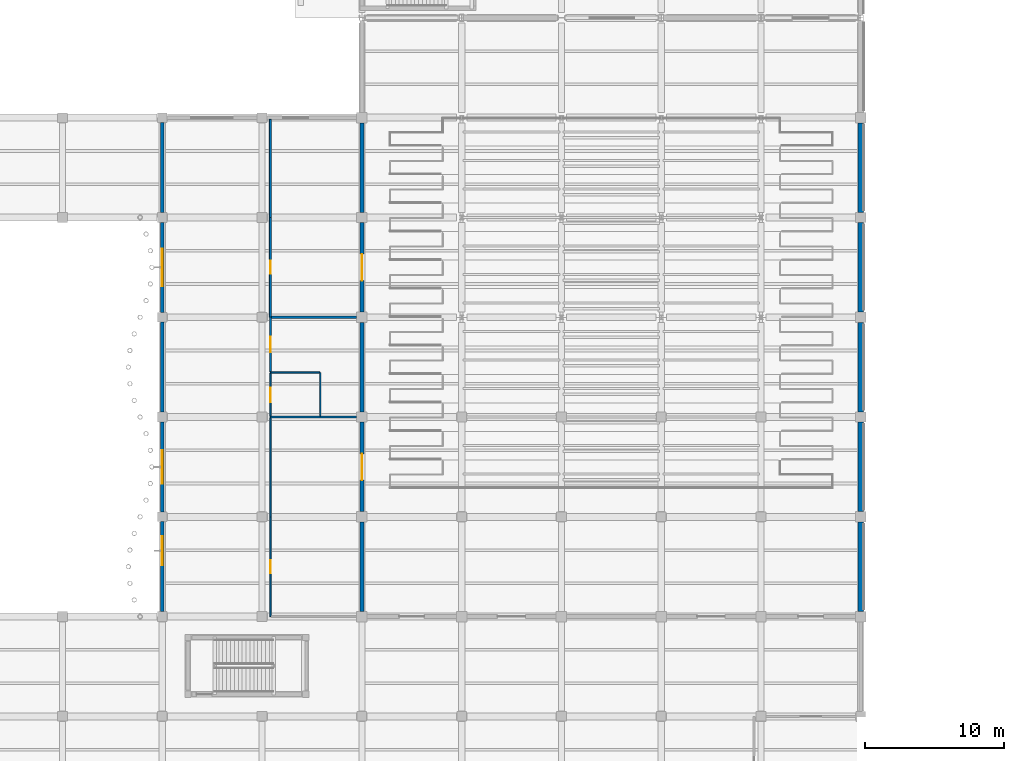
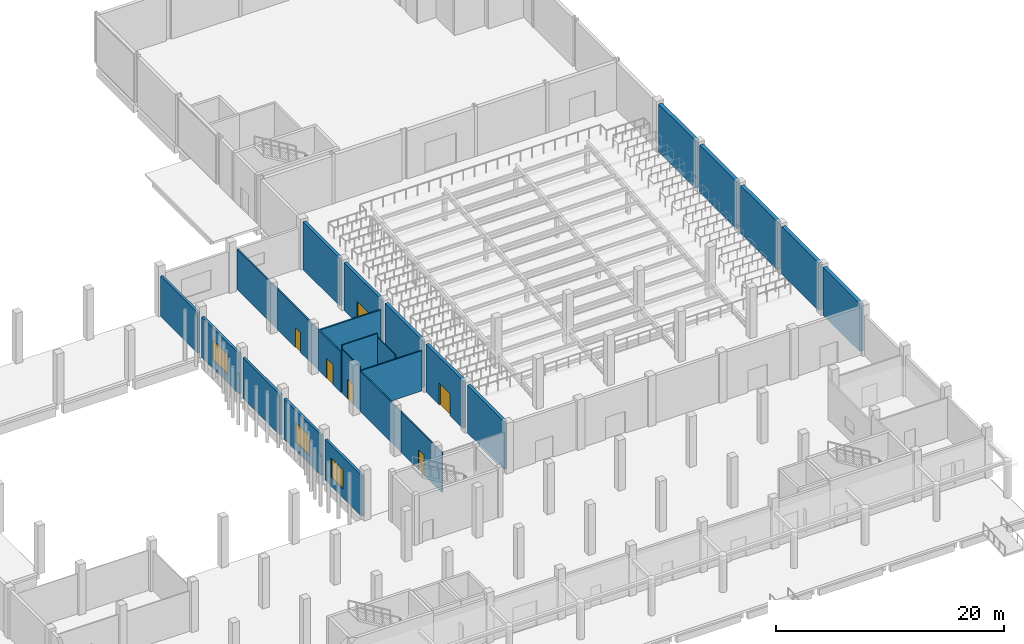
# One storey, part 26 of 46: 25 walls, 6 doors, 3 windows, 9 openings.
"""IFC4 building model written with IfcOpenShell, lengths in metres."""

import ifcopenshell
import ifcopenshell.guid

model = None  # the IFC model being written
_history = None  # IfcOwnerHistory: only IFC2X3 demands one
_inside = {}  # id of a spatial element -> (the spatial element, [elements in it])
_under = {}  # id of a project, library or spatial element -> (it, [spatial elements below it])
_declared = {}  # id of a project -> (the project, [libraries it declares])
_typed = {}  # id of a type object -> (the type object, [elements of that type])
_made_of = {}  # id of a material, layer set ... -> (it, [elements and type objects made of it])


def new_model(schema):
    """Start an empty IFC model of exactly this schema.

    Asked for "IFC4X3", IfcOpenShell would pick the latest addendum, in which some entities
    have other attributes; the version numbers below select the first issue.
    IFC2X3 requires an IfcOwnerHistory on every rooted entity: one is made here for all.
    """
    global model, _history
    if schema == "IFC4X3":
        model = ifcopenshell.file(schema_version=(4, 3, 0, 0))
    else:
        model = ifcopenshell.file(schema=schema)
    _inside.clear()
    _under.clear()
    _declared.clear()
    _typed.clear()
    _made_of.clear()
    _history = None
    if model.schema == "IFC2X3":
        org = make("IfcOrganization", Name="unknown")
        user = make(
            "IfcPersonAndOrganization",
            ThePerson=make("IfcPerson", FamilyName="unknown"),
            TheOrganization=org,
        )
        app = make(
            "IfcApplication",
            ApplicationDeveloper=org,
            Version="unknown",
            ApplicationFullName="unknown",
            ApplicationIdentifier="unknown",
        )
        _history = make(
            "IfcOwnerHistory",
            OwningUser=user,
            OwningApplication=app,
            ChangeAction="ADDED",
            CreationDate=0,
        )
    return model


def make(cls, **values):
    """One entity of the class cls with the attributes given. An attribute that is None is left unset."""
    return model.create_entity(
        cls, **{name: value for name, value in values.items() if value is not None}
    )


def rooted(cls, **values):
    """An entity with a GlobalId (a new one), such as an element, a storey or a relation."""
    return make(cls, GlobalId=ifcopenshell.guid.new(), OwnerHistory=_history, **values)


def si_unit(unit_type, name, prefix=None):
    """IfcSIUnit, for example si_unit("LENGTHUNIT", "METRE", prefix="MILLI")."""
    return make("IfcSIUnit", UnitType=unit_type, Prefix=prefix, Name=name)


def assignment(units):
    """IfcUnitAssignment: the units of a project."""
    return None if units is None else make("IfcUnitAssignment", Units=units)


def point(xyz):
    """IfcCartesianPoint."""
    return None if xyz is None else make("IfcCartesianPoint", Coordinates=xyz)


def direction(xyz):
    """IfcDirection."""
    return None if xyz is None else make("IfcDirection", DirectionRatios=xyz)


def frame(location, z_axis=None, x_axis=None):
    """IfcAxis2Placement3D, a coordinate frame: its origin and axes. An axis left out is left unset."""
    return make(
        "IfcAxis2Placement3D",
        Location=point(location),
        Axis=direction(z_axis),
        RefDirection=direction(x_axis),
    )


def frame_2d(location, x_axis=None):
    """IfcAxis2Placement2D, a coordinate frame in the plane: its origin and x axis."""
    return make(
        "IfcAxis2Placement2D", Location=point(location), RefDirection=direction(x_axis)
    )


def origin():
    """The frame at (0, 0, 0) with its axes left unset."""
    return frame((0.0, 0.0, 0.0))


def place(relative_to, where):
    """IfcLocalPlacement: puts the frame where relative to a parent placement (None: the world)."""
    return make(
        "IfcLocalPlacement", PlacementRelTo=relative_to, RelativePlacement=where
    )


def context(
    kind, dimensions, precision=None, world=None, true_north=None, identifier=None
):
    """IfcGeometricRepresentationContext, for example the 3D "Model" context."""
    return make(
        "IfcGeometricRepresentationContext",
        ContextIdentifier=identifier,
        ContextType=kind,
        CoordinateSpaceDimension=dimensions,
        Precision=precision,
        WorldCoordinateSystem=world,
        TrueNorth=true_north,
    )


def subcontext(parent, identifier, kind, view, scale=None):
    """IfcGeometricRepresentationSubContext, for example "Body" below "Model"."""
    return make(
        "IfcGeometricRepresentationSubContext",
        ContextIdentifier=identifier,
        ContextType=kind,
        ParentContext=parent,
        TargetScale=scale,
        TargetView=view,
    )


def project(units=None, contexts=None):
    """IfcProject with its units and contexts."""
    return rooted(
        "IfcProject",
        Name="project",
        RepresentationContexts=contexts,
        UnitsInContext=assignment(units),
    )


def spatial(cls, under=None, at=None, **own):
    """A site, building, storey or space (cls), placed at a placement, below another one or the project."""
    s = rooted(cls, ObjectPlacement=at, **own)
    if under is not None:
        _under.setdefault(under.id(), (under, []))[1].append(s)
    return s


def profile(cls, at=None, kind="AREA", **sizes):
    """A parametric profile (cls). Its sizes go by their IFC names, for example OverallWidth=200.0."""
    return make(cls, ProfileType=kind, Position=at, **sizes)


def rectangle(**sizes):
    """IfcRectangleProfileDef."""
    return profile("IfcRectangleProfileDef", **sizes)


def extrude(swept, where, along, depth):
    """IfcExtrudedAreaSolid: the profile swept, set in the frame where, extruded along a direction by depth."""
    return make(
        "IfcExtrudedAreaSolid",
        SweptArea=swept,
        Position=where,
        ExtrudedDirection=direction(along),
        Depth=depth,
    )


def shape(context_of_items, identifier, shape_type, items):
    """IfcShapeRepresentation: the items that make up one representation, for example the "Body"."""
    return make(
        "IfcShapeRepresentation",
        ContextOfItems=context_of_items,
        RepresentationIdentifier=identifier,
        RepresentationType=shape_type,
        Items=items,
    )


def material(Name=None, Category=None):
    """IfcMaterial."""
    return make("IfcMaterial", Name=Name, Category=Category)


def layer(
    of_material, thickness, ventilated=None, Name=None, Category=None, Priority=None
):
    """IfcMaterialLayer: one layer of a wall or slab, of a material (None: an air gap)."""
    return make(
        "IfcMaterialLayer",
        Material=of_material,
        LayerThickness=thickness,
        IsVentilated=ventilated,
        Name=Name,
        Category=Category,
        Priority=Priority,
    )


def layer_set(layers, Name=None):
    """IfcMaterialLayerSet."""
    return make("IfcMaterialLayerSet", MaterialLayers=layers, LayerSetName=Name)


def made_of(thing, what):
    """Note that an element or type object is made of a material, layer set ...; save() writes the relation."""
    if what is not None:
        _made_of.setdefault(what.id(), (what, []))[1].append(thing)
    return thing


def type_object(cls, material=None, **own):
    """A type object (cls), such as IfcWallType, which elements share."""
    return made_of(rooted(cls, **own), material)


def element(
    cls,
    number,
    at=None,
    inside=None,
    cuts=None,
    type_object=None,
    material=None,
    context=None,
    identifier="Body",
    shape_type=None,
    held_by="IfcProductDefinitionShape",
    body=None,
    shapes=None,
    **own,
):
    """One element of the class cls, such as IfcWall. Its Tag is "e" and its number.

    at: its placement. inside: the storey or other place that contains it. cuts: it is an
    opening in that element (IfcRelVoidsElement). A single representation is given by context,
    identifier, shape_type and body (its items); several are given by shapes. held_by: the class
    of the entity that holds the representations. save() writes the other relations.
    """
    e = rooted(cls, Tag="e%d" % number, ObjectPlacement=at, **own)
    if body is not None:
        shapes = [shape(context, identifier, shape_type, body)]
    if shapes is not None:
        e.Representation = make(held_by, Representations=shapes)
    if inside is not None:
        _inside.setdefault(inside.id(), (inside, []))[1].append(e)
    if cuts is not None:
        rooted(
            "IfcRelVoidsElement", RelatingBuildingElement=cuts, RelatedOpeningElement=e
        )
    if type_object is not None:
        _typed.setdefault(type_object.id(), (type_object, []))[1].append(e)
    return made_of(e, material)


def fill(opening, filler):
    """IfcRelFillsElement: the door or window that sits in an opening."""
    return rooted(
        "IfcRelFillsElement",
        RelatingOpeningElement=opening,
        RelatedBuildingElement=filler,
    )


def aggregate(whole, parts):
    """IfcRelAggregates: a whole, such as a stair, and the parts it consists of."""
    return rooted("IfcRelAggregates", RelatingObject=whole, RelatedObjects=parts)


def save(model, path):
    """Write the relations noted so far, then the file.

    IfcRelAggregates (storeys below a building ...), IfcRelContainedInSpatialStructure (elements
    in a storey), IfcRelDefinesByType, IfcRelAssociatesMaterial and IfcRelDeclares: one each for
    every whole, place, type object, material and project.
    """
    for whole, parts in _under.values():
        aggregate(whole, parts)
    for where, things in _inside.values():
        rooted(
            "IfcRelContainedInSpatialStructure",
            RelatedElements=things,
            RelatingStructure=where,
        )
    for kind, things in _typed.values():
        rooted("IfcRelDefinesByType", RelatedObjects=things, RelatingType=kind)
    for what, things in _made_of.values():
        rooted("IfcRelAssociatesMaterial", RelatedObjects=things, RelatingMaterial=what)
    for by, libraries in _declared.values():
        rooted("IfcRelDeclares", RelatingContext=by, RelatedDefinitions=libraries)
    model.write(path)


model = new_model("IFC4")

# Units and contexts
model_context = context("Model", 3, precision=1e-05, world=origin(), true_north=direction((0.0, 1.0)))
body_context = subcontext(model_context, "Body", "Model", "MODEL_VIEW")
ifc_project = project(units=[si_unit("LENGTHUNIT", "METRE"), si_unit("AREAUNIT", "SQUARE_METRE"), si_unit("VOLUMEUNIT", "CUBIC_METRE"), si_unit("PLANEANGLEUNIT", "RADIAN"), si_unit("MASSUNIT", "GRAM", prefix="KILO"), si_unit("THERMODYNAMICTEMPERATUREUNIT", "KELVIN"), si_unit("POWERUNIT", "WATT")], contexts=[model_context])

# Site, building, storey
site_placement = place(None, origin())
site = spatial("IfcSite", under=ifc_project, at=site_placement, CompositionType="ELEMENT")
building_placement = place(site_placement, origin())
building = spatial("IfcBuilding", under=site, at=building_placement, Name="Kaldorven Railside Theatre", CompositionType="ELEMENT")
storey_placement = place(building_placement, origin())
storey = spatial("IfcBuildingStorey", under=building, at=storey_placement, Name="L00", CompositionType="ELEMENT", Elevation=0.0)

# Walls
ifc_material_1 = material(Name="Architectural concrete C40/50", Category="concrete")
ifc_layer_1 = layer(ifc_material_1, 0.3798828125, Name="Architectural concrete C40/50")
ifc_layer_set_1 = layer_set([ifc_layer_1], Name="Architectural concrete C40/50")
wall_type_1 = type_object("IfcWallType", Name="WL-EW02", PredefinedType="SHEAR", material=ifc_layer_set_1)
wall_1_placement = place(storey_placement, frame((123.199951171875, 76.425048828125, 0.0), z_axis=(0.0, 0.0, 1.0), x_axis=(0.0, -1.0, 0.0)))
element("IfcWall", 1, at=wall_1_placement, inside=storey, type_object=wall_type_1, Name="V1 L00 Exterior Wall EW-0240", PredefinedType="SHEAR", context=body_context, shape_type="SweptSolid", body=[
    extrude(rectangle(XDim=6.449951171875, YDim=0.3798828125, at=frame_2d((3.22509765625, 0.0))), origin(), (0.0, 0.0, 1.0), 5.10009765625),
])
wall_2_placement = place(storey_placement, frame((123.199951171875, 69.22509765625, 0.0), z_axis=(0.0, 0.0, 1.0), x_axis=(0.0, -1.0, 0.0)))
element("IfcWall", 2, at=wall_2_placement, inside=storey, type_object=wall_type_1, Name="V1 L00 Exterior Wall EW-0241", PredefinedType="SHEAR", context=body_context, shape_type="SweptSolid", body=[
    extrude(rectangle(XDim=6.4501953125, YDim=0.3798828125, at=frame_2d((3.22509765625, 0.0))), origin(), (0.0, 0.0, 1.0), 5.10009765625),
])
for number, where, z_axis, x_axis, name in (
    (3, (123.199951171875, 62.02490234375, 0.0), (0.0, 0.0, 1.0), (0.0, -1.0, 0.0), "V1 L00 Exterior Wall EW-0242"),
    (4, (123.199951171875, 54.824951171875, 0.0), (0.0, 0.0, 1.0), (0.0, -1.0, 0.0), "V1 L00 Exterior Wall EW-0243"),
    (5, (123.199951171875, 47.625, 0.0), (0.0, 0.0, 1.0), (0.0, -1.0, 0.0), "V1 L00 Exterior Wall EW-0244"),
):
    element("IfcWall", number, at=place(storey_placement, frame(where, z_axis=z_axis, x_axis=x_axis)), inside=storey, type_object=wall_type_1, Name=name, PredefinedType="SHEAR", context=body_context, shape_type="SweptSolid", body=[
        extrude(rectangle(XDim=6.449951171875, YDim=0.3798828125, at=frame_2d((3.22509765625, 0.0))), origin(), (0.0, 0.0, 1.0), 5.10009765625),
    ])

# Wall, opening, window
ifc_material_2 = material(Name="Precast concrete C40/50", Category="concrete")
ifc_layer_2 = layer(ifc_material_2, 0.25, Name="Precast concrete C40/50")
ifc_layer_set_2 = layer_set([ifc_layer_2], Name="Precast concrete C40/50")
wall_type_2 = type_object("IfcWallType", Name="WL-EW06", PredefinedType="SOLIDWALL", material=ifc_layer_set_2)
wall_3_placement = place(storey_placement, frame((72.800048828125, 41.14990234375, 0.0), z_axis=(0.0, 0.0, 1.0), x_axis=(0.0, 1.0, 0.0)))
wall_3 = element("IfcWall", 6, at=wall_3_placement, inside=storey, type_object=wall_type_2, Name="V5W L00 Exterior Wall EW-0208", PredefinedType="SOLIDWALL", context=body_context, shape_type="SweptSolid", body=[
    extrude(rectangle(XDim=6.5, YDim=0.25, at=frame_2d((3.25, 0.0))), origin(), (0.0, 0.0, 1.0), 4.31494140625),
])
opening_1_placement = place(wall_3_placement, frame((3.35009765625, 0.0, 0.89990234375)))
opening_1 = element("IfcOpeningElement", 7, at=opening_1_placement, cuts=wall_3, Name="Opening WN-035", PredefinedType="OPENING", context=body_context, shape_type="SweptSolid", body=[
    extrude(rectangle(XDim=2.10009765625, YDim=2.10009765625, at=frame_2d((1.050048828125, 1.050048828125))), frame((0.0, 0.135009765625, 0.0), z_axis=(0.0, -1.0, 0.0), x_axis=(1.0, 0.0, 0.0)), (0.0, 0.0, 1.0), 0.27001953125),
])
ifc_material_3 = material(Name="Low-E laminated solar-control glass", Category="glass")
window_type_1 = type_object("IfcWindowType", Name="WN-EW10", PartitioningType="SINGLE_PANEL", PredefinedType="WINDOW", material=ifc_material_3)
window_1_placement = place(opening_1_placement, origin())
window_1 = element("IfcWindow", 8, at=window_1_placement, inside=storey, type_object=window_type_1, Name="Shaded Acoustic Exterior Window WN-035", OverallHeight=2.10009765625, OverallWidth=2.10009765625, PartitioningType="SINGLE_PANEL", PredefinedType="WINDOW", context=body_context, shape_type="SweptSolid", body=[
    extrude(rectangle(XDim=2.10009765625, YDim=2.10009765625, at=frame_2d((1.050048828125, 1.050048828125))), frame((0.0, 0.030029296875, 0.0), z_axis=(0.0, -1.0, 0.0), x_axis=(1.0, 0.0, 0.0)), (0.0, 0.0, 1.0), 0.06005859375),
])
fill(opening_1, window_1)

wall_4_placement = place(storey_placement, frame((72.800048828125, 48.35009765625, 0.0), z_axis=(0.0, 0.0, 1.0), x_axis=(0.0, 1.0, 0.0)))
wall_4 = element("IfcWall", 9, at=wall_4_placement, inside=storey, type_object=wall_type_2, Name="V5W L00 Exterior Wall EW-0209", PredefinedType="SOLIDWALL", context=body_context, shape_type="SweptSolid", body=[
    extrude(rectangle(XDim=6.5, YDim=0.25, at=frame_2d((3.25, 0.0))), origin(), (0.0, 0.0, 1.0), 4.31494140625),
])
opening_2_placement = place(wall_4_placement, frame((2.050048828125, 0.0, 0.89990234375)))
opening_2 = element("IfcOpeningElement", 10, at=opening_2_placement, cuts=wall_4, Name="Opening WN-036", PredefinedType="OPENING", context=body_context, shape_type="SweptSolid", body=[
    extrude(rectangle(XDim=2.39990234375, YDim=2.10009765625, at=frame_2d((1.199951171875, 1.050048828125))), frame((0.0, 0.135009765625, 0.0), z_axis=(0.0, -1.0, 0.0), x_axis=(1.0, 0.0, 0.0)), (0.0, 0.0, 1.0), 0.27001953125),
])
window_type_2 = type_object("IfcWindowType", Name="WN-EW11", PartitioningType="SINGLE_PANEL", PredefinedType="WINDOW", material=ifc_material_3)
window_2_placement = place(opening_2_placement, origin())
window_2 = element("IfcWindow", 11, at=window_2_placement, inside=storey, type_object=window_type_2, Name="Shaded Acoustic Exterior Window WN-036", OverallHeight=2.10009765625, OverallWidth=2.39990234375, PartitioningType="SINGLE_PANEL", PredefinedType="WINDOW", context=body_context, shape_type="SweptSolid", body=[
    extrude(rectangle(XDim=2.39990234375, YDim=2.10009765625, at=frame_2d((1.199951171875, 1.050048828125))), frame((0.0, 0.030029296875, 0.0), z_axis=(0.0, -1.0, 0.0), x_axis=(1.0, 0.0, 0.0)), (0.0, 0.0, 1.0), 0.06005859375),
])
fill(opening_2, window_2)

# Wall
wall_5_placement = place(storey_placement, frame((72.800048828125, 55.550048828125, 0.0), z_axis=(0.0, 0.0, 1.0), x_axis=(0.0, 1.0, 0.0)))
element("IfcWall", 12, at=wall_5_placement, inside=storey, type_object=wall_type_2, Name="V5W L00 Exterior Wall EW-0210", PredefinedType="SOLIDWALL", context=body_context, shape_type="SweptSolid", body=[
    extrude(rectangle(XDim=6.5, YDim=0.25, at=frame_2d((3.25, 0.0))), origin(), (0.0, 0.0, 1.0), 4.31494140625),
])

# Wall, opening, window
wall_6_placement = place(storey_placement, frame((72.800048828125, 62.75, 0.0), z_axis=(0.0, 0.0, 1.0), x_axis=(0.0, 1.0, 0.0)))
wall_6 = element("IfcWall", 13, at=wall_6_placement, inside=storey, type_object=wall_type_2, Name="V5W L00 Exterior Wall EW-0211", PredefinedType="SOLIDWALL", context=body_context, shape_type="SweptSolid", body=[
    extrude(rectangle(XDim=6.5, YDim=0.25, at=frame_2d((3.25, 0.0))), origin(), (0.0, 0.0, 1.0), 4.31494140625),
])
opening_3_placement = place(wall_6_placement, frame((1.89990234375, 0.0, 0.89990234375)))
opening_3 = element("IfcOpeningElement", 14, at=opening_3_placement, cuts=wall_6, Name="Opening WN-037", PredefinedType="OPENING", context=body_context, shape_type="SweptSolid", body=[
    extrude(rectangle(XDim=2.699951171875, YDim=2.10009765625, at=frame_2d((1.35009765625, 1.050048828125))), frame((0.0, 0.135009765625, 0.0), z_axis=(0.0, -1.0, 0.0), x_axis=(1.0, 0.0, 0.0)), (0.0, 0.0, 1.0), 0.27001953125),
])
window_type_3 = type_object("IfcWindowType", Name="WN-EW12", PartitioningType="SINGLE_PANEL", PredefinedType="WINDOW", material=ifc_material_3)
window_3_placement = place(opening_3_placement, origin())
window_3 = element("IfcWindow", 15, at=window_3_placement, inside=storey, type_object=window_type_3, Name="Shaded Acoustic Exterior Window WN-037", OverallHeight=2.10009765625, OverallWidth=2.699951171875, PartitioningType="SINGLE_PANEL", PredefinedType="WINDOW", context=body_context, shape_type="SweptSolid", body=[
    extrude(rectangle(XDim=2.699951171875, YDim=2.10009765625, at=frame_2d((1.35009765625, 1.050048828125))), frame((0.0, 0.030029296875, 0.0), z_axis=(0.0, -1.0, 0.0), x_axis=(1.0, 0.0, 0.0)), (0.0, 0.0, 1.0), 0.06005859375),
])
fill(opening_3, window_3)

# Wall
wall_7_placement = place(storey_placement, frame((72.800048828125, 69.949951171875, 0.0), z_axis=(0.0, 0.0, 1.0), x_axis=(0.0, 1.0, 0.0)))
element("IfcWall", 16, at=wall_7_placement, inside=storey, type_object=wall_type_2, Name="V5W L00 Exterior Wall EW-0212", PredefinedType="SOLIDWALL", context=body_context, shape_type="SweptSolid", body=[
    extrude(rectangle(XDim=6.5, YDim=0.25, at=frame_2d((3.25, 0.0))), origin(), (0.0, 0.0, 1.0), 4.31494140625),
])

# Wall, opening, door
ifc_material_4 = material(Name="Acoustic gypsum board")
ifc_layer_3 = layer(ifc_material_4, 0.14990234375, Name="Acoustic gypsum board")
ifc_layer_set_3 = layer_set([ifc_layer_3], Name="Acoustic gypsum board")
wall_type_3 = type_object("IfcWallType", Name="WL-IW-AC1", PredefinedType="PARTITIONING", material=ifc_layer_set_3)
wall_8_placement = place(storey_placement, frame((80.60009765625, 58.451904296875, 0.0), z_axis=(0.0, 0.0, 1.0), x_axis=(0.0, 1.0, 0.0)))
wall_8 = element("IfcWall", 17, at=wall_8_placement, inside=storey, type_object=wall_type_3, Name="L00 Interior Wall IW-0488", PredefinedType="PARTITIONING", context=body_context, shape_type="SweptSolid", body=[
    extrude(rectangle(XDim=3.947998046875, YDim=0.14990234375, at=frame_2d((1.97412109375, 0.0))), origin(), (0.0, 0.0, 1.0), 4.31494140625),
])
opening_4_placement = place(wall_8_placement, frame((1.424072265625, 0.0, 0.0)))
opening_4 = element("IfcOpeningElement", 18, at=opening_4_placement, cuts=wall_8, Name="Opening ID-0113", PredefinedType="OPENING", context=body_context, shape_type="SweptSolid", body=[
    extrude(rectangle(XDim=1.10009765625, YDim=2.14990234375, at=frame_2d((0.550048828125, 1.074951171875))), frame((0.0, 0.0849609375, 0.0), z_axis=(0.0, -1.0, 0.0), x_axis=(1.0, 0.0, 0.0)), (0.0, 0.0, 1.0), 0.169921875),
])
ifc_material_5 = material(Name="Acoustic hardwood timber", Category="wood")
door_type_1 = type_object("IfcDoorType", Name="DR-ID-FD60", OperationType="NOTDEFINED", PredefinedType="DOOR", material=ifc_material_5)
door_1_placement = place(opening_4_placement, origin())
door_1 = element("IfcDoor", 19, at=door_1_placement, inside=storey, type_object=door_type_1, Name="Main Foyer Cleaner's Store Entry Door", OperationType="SINGLE_SWING_LEFT", OverallHeight=2.14990234375, OverallWidth=1.10009765625, PredefinedType="DOOR", context=body_context, shape_type="SweptSolid", body=[
    extrude(rectangle(XDim=1.10009765625, YDim=2.14990234375, at=frame_2d((0.550048828125, 1.074951171875))), frame((0.0, 0.02490234375, 0.0), z_axis=(0.0, -1.0, 0.0), x_axis=(1.0, 0.0, 0.0)), (0.0, 0.0, 1.0), 0.050048828125),
])
fill(opening_4, door_1)

# Walls
wall_9_placement = place(storey_placement, frame((80.677001953125, 62.39990234375, 0.0), z_axis=(0.0, 0.0, 1.0), x_axis=(1.0, 0.0, 0.0)))
element("IfcWall", 20, at=wall_9_placement, inside=storey, type_object=wall_type_3, Name="L00 Interior Wall IW-0489", PredefinedType="PARTITIONING", context=body_context, shape_type="SweptSolid", body=[
    extrude(rectangle(XDim=6.14794921875, YDim=0.14990234375, at=frame_2d((3.073974609375, 0.0))), origin(), (0.0, 0.0, 1.0), 4.31494140625),
])
ifc_layer_4 = layer(ifc_material_4, 0.139892578125, Name="Acoustic gypsum board")
ifc_layer_set_4 = layer_set([ifc_layer_4], Name="Acoustic gypsum board")
wall_type_4 = type_object("IfcWallType", Name="WL-IW-AC2", PredefinedType="PARTITIONING", material=ifc_layer_set_4)
wall_10_placement = place(storey_placement, frame((80.60009765625, 76.673095703125, 0.0), z_axis=(0.0, 0.0, 1.0), x_axis=(0.0, -1.0, 0.0)))
element("IfcWall", 21, at=wall_10_placement, inside=storey, type_object=wall_type_4, Name="L00 Interior Wall IW-0490", PredefinedType="PARTITIONING", context=body_context, shape_type="SweptSolid", body=[
    extrude(rectangle(XDim=7.072998046875, YDim=0.139892578125, at=frame_2d((3.53662109375, 0.0))), origin(), (0.0, 0.0, 1.0), 4.31494140625),
])

# Wall, opening, door
wall_11_placement = place(storey_placement, frame((80.60009765625, 69.60009765625, 0.0), z_axis=(0.0, 0.0, 1.0), x_axis=(0.0, -1.0, 0.0)))
wall_11 = element("IfcWall", 22, at=wall_11_placement, inside=storey, type_object=wall_type_4, Name="L00 Interior Wall IW-0491", PredefinedType="PARTITIONING", context=body_context, shape_type="SweptSolid", body=[
    extrude(rectangle(XDim=7.2001953125, YDim=0.139892578125, at=frame_2d((3.60009765625, 0.0))), origin(), (0.0, 0.0, 1.0), 4.31494140625),
])
opening_5_placement = place(wall_11_placement, frame((3.139892578125, 0.0, 0.0)))
opening_5 = element("IfcOpeningElement", 23, at=opening_5_placement, cuts=wall_11, Name="Opening ID-0114", PredefinedType="OPENING", context=body_context, shape_type="SweptSolid", body=[
    extrude(rectangle(XDim=0.919921875, YDim=2.10009765625, at=frame_2d((0.4599609375, 1.050048828125))), frame((0.0, 0.080078125, 0.0), z_axis=(0.0, -1.0, 0.0), x_axis=(1.0, 0.0, 0.0)), (0.0, 0.0, 1.0), 0.159912109375),
])
door_type_2 = type_object("IfcDoorType", Name="DR-ID-WC1", OperationType="NOTDEFINED", PredefinedType="DOOR", material=ifc_material_5)
door_2_placement = place(opening_5_placement, origin())
door_2 = element("IfcDoor", 24, at=door_2_placement, inside=storey, type_object=door_type_2, Name="Green Room Entry Door", OperationType="SINGLE_SWING_RIGHT", OverallHeight=2.10009765625, OverallWidth=0.919921875, PredefinedType="DOOR", context=body_context, shape_type="SweptSolid", body=[
    extrude(rectangle(XDim=0.919921875, YDim=2.10009765625, at=frame_2d((0.4599609375, 1.050048828125))), frame((0.0, 0.02490234375, 0.0), z_axis=(0.0, -1.0, 0.0), x_axis=(1.0, 0.0, 0.0)), (0.0, 0.0, 1.0), 0.050048828125),
])
fill(opening_5, door_2)

# Wall
ifc_material_6 = material(Name="Concrete C40/50", Category="concrete")
ifc_layer_5 = layer(ifc_material_6, 0.300048828125, Name="Concrete C40/50")
ifc_layer_set_5 = layer_set([ifc_layer_5], Name="Concrete C40/50")
wall_type_5 = type_object("IfcWallType", Name="WL-IW-CORE", PredefinedType="SHEAR", material=ifc_layer_set_5)
wall_12_placement = place(storey_placement, frame((87.199951171875, 41.175048828125, 0.0), z_axis=(0.0, 0.0, 1.0), x_axis=(0.0, 1.0, 0.0)))
element("IfcWall", 25, at=wall_12_placement, inside=storey, type_object=wall_type_5, Name="L00 Interior Wall AW-0340", PredefinedType="SHEAR", context=body_context, shape_type="SweptSolid", body=[
    extrude(rectangle(XDim=6.449951171875, YDim=0.300048828125, at=frame_2d((3.22509765625, 0.0))), origin(), (0.0, 0.0, 1.0), 5.10009765625),
])

# Wall, opening, door
wall_13_placement = place(storey_placement, frame((87.199951171875, 48.375, 0.0), z_axis=(0.0, 0.0, 1.0), x_axis=(0.0, 1.0, 0.0)))
wall_13 = element("IfcWall", 26, at=wall_13_placement, inside=storey, type_object=wall_type_5, Name="L00 Interior Wall AW-0341", PredefinedType="SHEAR", context=body_context, shape_type="SweptSolid", body=[
    extrude(rectangle(XDim=6.449951171875, YDim=0.300048828125, at=frame_2d((3.22509765625, 0.0))), origin(), (0.0, 0.0, 1.0), 5.10009765625),
])
opening_6_placement = place(wall_13_placement, frame((2.27490234375, 0.0, 0.0)))
opening_6 = element("IfcOpeningElement", 27, at=opening_6_placement, cuts=wall_13, Name="Opening ID-0062", PredefinedType="OPENING", context=body_context, shape_type="SweptSolid", body=[
    extrude(rectangle(XDim=1.89990234375, YDim=2.35009765625, at=frame_2d((0.949951171875, 1.175048828125))), frame((0.0, 0.16015625, 0.0), z_axis=(0.0, -1.0, 0.0), x_axis=(1.0, 0.0, 0.0)), (0.0, 0.0, 1.0), 0.320068359375),
])
door_type_3 = type_object("IfcDoorType", Name="DR-ID-AUD1", OperationType="NOTDEFINED", PredefinedType="DOOR", material=ifc_material_5)
door_3_placement = place(opening_6_placement, origin())
door_3 = element("IfcDoor", 28, at=door_3_placement, inside=storey, type_object=door_type_3, Name="L00 West Gallery / Vomitory Door", OperationType="DOUBLE_DOOR_SINGLE_SWING", OverallHeight=2.35009765625, OverallWidth=1.89990234375, PredefinedType="DOOR", context=body_context, shape_type="SweptSolid", body=[
    extrude(rectangle(XDim=1.89990234375, YDim=2.35009765625, at=frame_2d((0.949951171875, 1.175048828125))), frame((0.0, 0.02490234375, 0.0), z_axis=(0.0, -1.0, 0.0), x_axis=(1.0, 0.0, 0.0)), (0.0, 0.0, 1.0), 0.050048828125),
])
fill(opening_6, door_3)

# Wall
wall_14_placement = place(storey_placement, frame((87.199951171875, 55.574951171875, 0.0), z_axis=(0.0, 0.0, 1.0), x_axis=(0.0, 1.0, 0.0)))
element("IfcWall", 29, at=wall_14_placement, inside=storey, type_object=wall_type_5, Name="L00 Interior Wall AW-0342", PredefinedType="SHEAR", context=body_context, shape_type="SweptSolid", body=[
    extrude(rectangle(XDim=6.449951171875, YDim=0.300048828125, at=frame_2d((3.22509765625, 0.0))), origin(), (0.0, 0.0, 1.0), 5.10009765625),
])

# Wall, opening, door
wall_15_placement = place(storey_placement, frame((87.199951171875, 62.77490234375, 0.0), z_axis=(0.0, 0.0, 1.0), x_axis=(0.0, 1.0, 0.0)))
wall_15 = element("IfcWall", 30, at=wall_15_placement, inside=storey, type_object=wall_type_5, Name="L00 Interior Wall AW-0343", PredefinedType="SHEAR", context=body_context, shape_type="SweptSolid", body=[
    extrude(rectangle(XDim=6.4501953125, YDim=0.300048828125, at=frame_2d((3.22509765625, 0.0))), origin(), (0.0, 0.0, 1.0), 5.10009765625),
])
opening_7_placement = place(wall_15_placement, frame((2.27490234375, 0.0, 0.0)))
opening_7 = element("IfcOpeningElement", 31, at=opening_7_placement, cuts=wall_15, Name="Opening ID-0063", PredefinedType="OPENING", context=body_context, shape_type="SweptSolid", body=[
    extrude(rectangle(XDim=1.89990234375, YDim=2.35009765625, at=frame_2d((0.949951171875, 1.175048828125))), frame((0.0, 0.16015625, 0.0), z_axis=(0.0, -1.0, 0.0), x_axis=(1.0, 0.0, 0.0)), (0.0, 0.0, 1.0), 0.320068359375),
])
door_4_placement = place(opening_7_placement, origin())
door_4 = element("IfcDoor", 32, at=door_4_placement, inside=storey, type_object=door_type_3, Name="L00 West Gallery / Vomitory Door", OperationType="DOUBLE_DOOR_SINGLE_SWING", OverallHeight=2.35009765625, OverallWidth=1.89990234375, PredefinedType="DOOR", context=body_context, shape_type="SweptSolid", body=[
    extrude(rectangle(XDim=1.89990234375, YDim=2.35009765625, at=frame_2d((0.949951171875, 1.175048828125))), frame((0.0, 0.02490234375, 0.0), z_axis=(0.0, -1.0, 0.0), x_axis=(1.0, 0.0, 0.0)), (0.0, 0.0, 1.0), 0.050048828125),
])
fill(opening_7, door_4)

# Walls
wall_16_placement = place(storey_placement, frame((87.199951171875, 69.97509765625, 0.0), z_axis=(0.0, 0.0, 1.0), x_axis=(0.0, 1.0, 0.0)))
element("IfcWall", 33, at=wall_16_placement, inside=storey, type_object=wall_type_5, Name="L00 Interior Wall AW-0344", PredefinedType="SHEAR", context=body_context, shape_type="SweptSolid", body=[
    extrude(rectangle(XDim=6.449951171875, YDim=0.300048828125, at=frame_2d((3.22509765625, 0.0))), origin(), (0.0, 0.0, 1.0), 5.10009765625),
])
ifc_material_7 = material(Name="Fire-rated acoustic gypsum board")
ifc_layer_6 = layer(ifc_material_7, 0.1201171875, Name="Fire-rated acoustic gypsum board")
ifc_layer_set_6 = layer_set([ifc_layer_6], Name="Fire-rated acoustic gypsum board")
wall_type_6 = type_object("IfcWallType", Name="WL-IW-PT1", PredefinedType="PARTITIONING", material=ifc_layer_set_6)
wall_17_placement = place(storey_placement, frame((86.824951171875, 55.199951171875, 0.0), z_axis=(0.0, 0.0, 1.0), x_axis=(-1.0, 0.0, 0.0)))
element("IfcWall", 34, at=wall_17_placement, inside=storey, type_object=wall_type_6, Name="L00 Interior Wall IW-0481", PredefinedType="PARTITIONING", context=body_context, shape_type="SweptSolid", body=[
    extrude(rectangle(XDim=6.224853515625, YDim=0.1201171875, at=frame_2d((3.1123046875, 0.0))), origin(), (0.0, 0.0, 1.0), 4.31494140625),
])
wall_18_placement = place(storey_placement, frame((80.60009765625, 55.137939453125, 0.0), z_axis=(0.0, 0.0, 1.0), x_axis=(0.0, -1.0, 0.0)))
element("IfcWall", 35, at=wall_18_placement, inside=storey, type_object=wall_type_6, Name="L00 Interior Wall IW-0482", PredefinedType="PARTITIONING", context=body_context, shape_type="SweptSolid", body=[
    extrude(rectangle(XDim=7.137939453125, YDim=0.1201171875, at=frame_2d((3.56884765625, 0.0))), origin(), (0.0, 0.0, 1.0), 4.31494140625),
])

# Wall, opening, door
wall_19_placement = place(storey_placement, frame((80.60009765625, 48.0, 0.0), z_axis=(0.0, 0.0, 1.0), x_axis=(0.0, -1.0, 0.0)))
wall_19 = element("IfcWall", 36, at=wall_19_placement, inside=storey, type_object=wall_type_6, Name="L00 Interior Wall IW-0483", PredefinedType="PARTITIONING", context=body_context, shape_type="SweptSolid", body=[
    extrude(rectangle(XDim=7.199951171875, YDim=0.1201171875, at=frame_2d((3.60009765625, 0.0))), origin(), (0.0, 0.0, 1.0), 4.294921875),
])
opening_8_placement = place(wall_19_placement, frame((3.139892578125, 0.0, 0.0)))
opening_8 = element("IfcOpeningElement", 37, at=opening_8_placement, cuts=wall_19, Name="Opening ID-0111", PredefinedType="OPENING", context=body_context, shape_type="SweptSolid", body=[
    extrude(rectangle(XDim=0.919921875, YDim=2.10009765625, at=frame_2d((0.4599609375, 1.050048828125))), frame((0.0, 0.070068359375, 0.0), z_axis=(0.0, -1.0, 0.0), x_axis=(1.0, 0.0, 0.0)), (0.0, 0.0, 1.0), 0.14013671875),
])
door_5_placement = place(opening_8_placement, origin())
door_5 = element("IfcDoor", 38, at=door_5_placement, inside=storey, type_object=door_type_2, Name="Main Public WC Entry Door", OperationType="SINGLE_SWING_LEFT", OverallHeight=2.10009765625, OverallWidth=0.919921875, PredefinedType="DOOR", context=body_context, shape_type="SweptSolid", body=[
    extrude(rectangle(XDim=0.919921875, YDim=2.10009765625, at=frame_2d((0.4599609375, 1.050048828125))), frame((0.0, 0.02490234375, 0.0), z_axis=(0.0, -1.0, 0.0), x_axis=(1.0, 0.0, 0.0)), (0.0, 0.0, 1.0), 0.050048828125),
])
fill(opening_8, door_5)

# Walls
ifc_layer_7 = layer(ifc_material_7, 0.10009765625, Name="Fire-rated acoustic gypsum board")
ifc_layer_set_7 = layer_set([ifc_layer_7], Name="Fire-rated acoustic gypsum board")
wall_type_7 = type_object("IfcWallType", Name="WL-IW-PT2", PredefinedType="PARTITIONING", material=ifc_layer_set_7)
wall_20_placement = place(storey_placement, frame((84.199951171875, 55.261962890625, 0.0), z_axis=(0.0, 0.0, 1.0), x_axis=(0.0, 1.0, 0.0)))
element("IfcWall", 39, at=wall_20_placement, inside=storey, type_object=wall_type_7, Name="L00 Interior Wall IW-0485", PredefinedType="PARTITIONING", context=body_context, shape_type="SweptSolid", body=[
    extrude(rectangle(XDim=3.137939453125, YDim=0.10009765625, at=frame_2d((1.56884765625, 0.0))), origin(), (0.0, 0.0, 1.0), 4.715087890625),
])
wall_21_placement = place(storey_placement, frame((84.14794921875, 58.39990234375, 0.0), z_axis=(0.0, 0.0, 1.0), x_axis=(-1.0, 0.0, 0.0)))
element("IfcWall", 40, at=wall_21_placement, inside=storey, type_object=wall_type_7, Name="L00 Interior Wall IW-0486", PredefinedType="PARTITIONING", context=body_context, shape_type="SweptSolid", body=[
    extrude(rectangle(XDim=3.5478515625, YDim=0.10009765625, at=frame_2d((1.77392578125, 0.0))), origin(), (0.0, 0.0, 1.0), 5.1201171875),
])

# Wall, opening, door
wall_22_placement = place(storey_placement, frame((80.60009765625, 58.347900390625, 0.0), z_axis=(0.0, 0.0, 1.0), x_axis=(0.0, -1.0, 0.0)))
wall_22 = element("IfcWall", 41, at=wall_22_placement, inside=storey, type_object=wall_type_7, Name="L00 Interior Wall IW-0487", PredefinedType="PARTITIONING", context=body_context, shape_type="SweptSolid", body=[
    extrude(rectangle(XDim=3.0859375, YDim=0.10009765625, at=frame_2d((1.54296875, 0.0))), origin(), (0.0, 0.0, 1.0), 4.715087890625),
])
opening_9_placement = place(wall_22_placement, frame((1.01806640625, 0.0, 0.0)))
opening_9 = element("IfcOpeningElement", 42, at=opening_9_placement, cuts=wall_22, Name="Opening ID-0112", PredefinedType="OPENING", context=body_context, shape_type="SweptSolid", body=[
    extrude(rectangle(XDim=1.050048828125, YDim=2.1201171875, at=frame_2d((0.52490234375, 1.06005859375))), frame((0.0, 0.06005859375, 0.0), z_axis=(0.0, -1.0, 0.0), x_axis=(1.0, 0.0, 0.0)), (0.0, 0.0, 1.0), 0.1201171875),
])
door_type_4 = type_object("IfcDoorType", Name="DR-ID-AWC1", OperationType="NOTDEFINED", PredefinedType="DOOR", material=ifc_material_5)
door_6_placement = place(opening_9_placement, origin())
door_6 = element("IfcDoor", 43, at=door_6_placement, inside=storey, type_object=door_type_4, Name="Main Accessible WC Entry Door", OperationType="SINGLE_SWING_RIGHT", OverallHeight=2.1201171875, OverallWidth=1.050048828125, PredefinedType="DOOR", context=body_context, shape_type="SweptSolid", body=[
    extrude(rectangle(XDim=1.050048828125, YDim=2.1201171875, at=frame_2d((0.52490234375, 1.06005859375))), frame((0.0, 0.02490234375, 0.0), z_axis=(0.0, -1.0, 0.0), x_axis=(1.0, 0.0, 0.0)), (0.0, 0.0, 1.0), 0.050048828125),
])
fill(opening_9, door_6)

save(model, "model.ifc")
